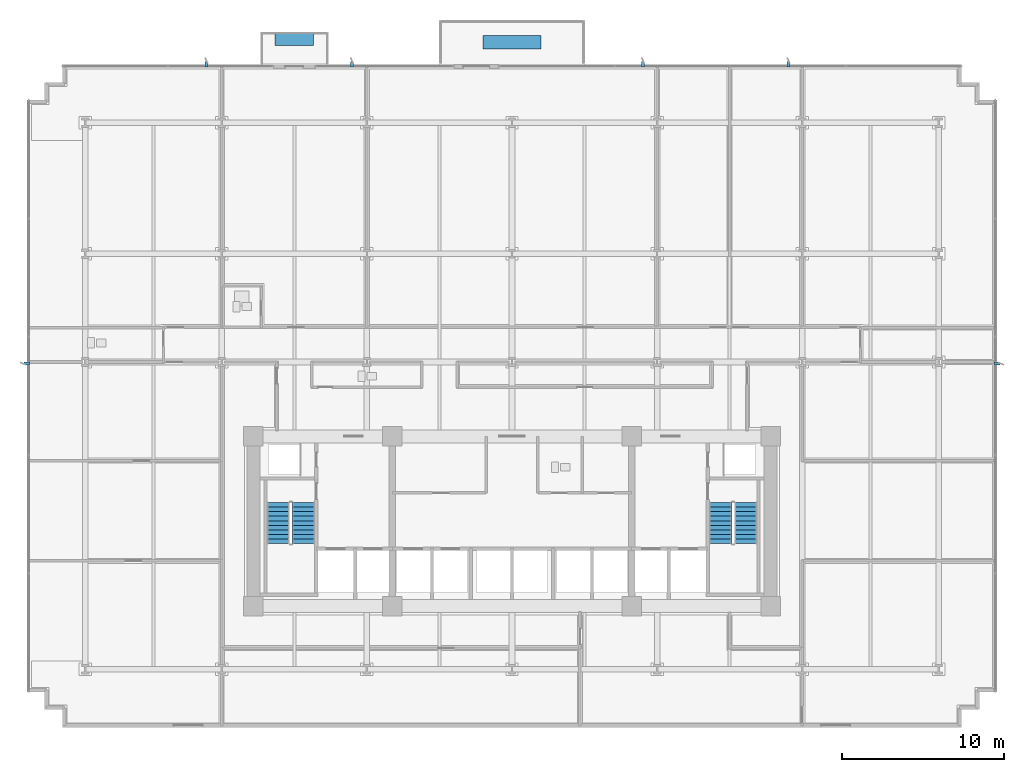
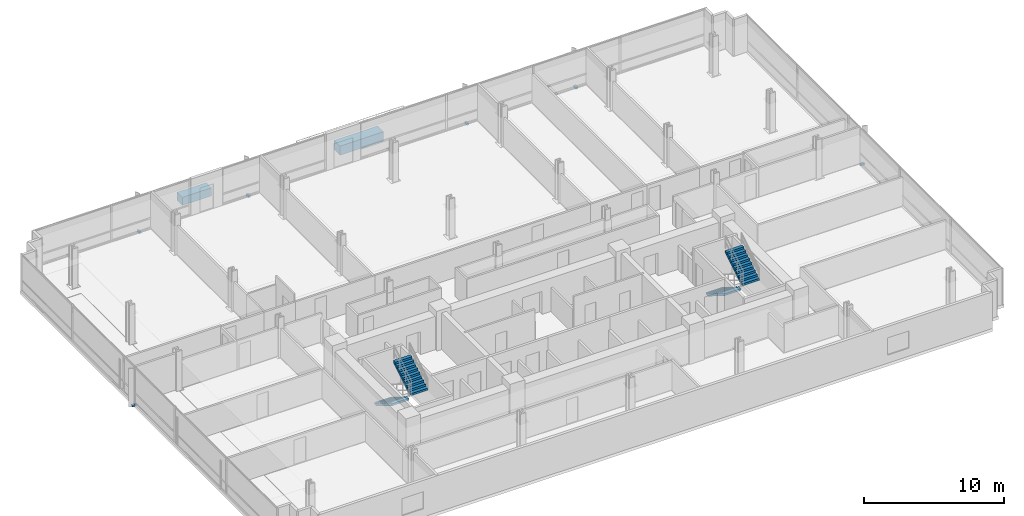
# One storey, part 16 of 21: 8 discrete accessories, 4 stair flights, 2 elements without a shape of their own.
"""IFC4 building model written with IfcOpenShell, lengths in metres."""

from ifc_helpers import new_model, si_unit, direction, frame, origin, origin_2d, place, context, subcontext, project, spatial, polyline, rectangle, outline, extrude, material, type_object, element, aggregate, save


model = new_model("IFC4")

# Units and contexts
model_context = context("Model", 3, precision=1e-05, world=origin(), true_north=direction((0.0, 1.0)))
body_context = subcontext(model_context, "Body", "Model", "MODEL_VIEW")
ifc_project = project(units=[si_unit("LENGTHUNIT", "METRE"), si_unit("AREAUNIT", "SQUARE_METRE"), si_unit("VOLUMEUNIT", "CUBIC_METRE"), si_unit("PLANEANGLEUNIT", "RADIAN"), si_unit("MASSUNIT", "GRAM", prefix="KILO")], contexts=[model_context])

# Site, building, storey
site_placement = place(None, origin())
site = spatial("IfcSite", under=ifc_project, at=site_placement, CompositionType="ELEMENT")
building_placement = place(site_placement, origin())
building = spatial("IfcBuilding", under=site, at=building_placement, Name="Solmavex Isthmus Hotel", CompositionType="ELEMENT")
storey_placement = place(building_placement, frame((0.0, 0.0, 54.0)))
storey = spatial("IfcBuildingStorey", under=building, at=storey_placement, Name="L14", CompositionType="ELEMENT", Elevation=54.0)

# Stair, stair flights
ifc_material_1 = material(Name="Concrete C40/50", Category="concrete")
stair_type_1 = type_object("IfcStairType", Name="STR-ST-1", PredefinedType="HALF_TURN_STAIR", material=ifc_material_1)
stair_1_placement = place(storey_placement, origin())
stair_1 = element("IfcStair", 1, at=stair_1_placement, inside=storey, type_object=stair_type_1, Name="L14 Protected Exit Stair ST-1", PredefinedType="HALF_TURN_STAIR")
stair_flight_type_1 = type_object("IfcStairFlightType", Name="SFL-ST-1", PredefinedType="STRAIGHT", material=ifc_material_1)
stair_flight_1_placement = place(storey_placement, frame((-14.449951171875, -6.60009765625, 0.0), z_axis=(0.0, 0.0, 1.0), x_axis=(0.0, -1.0, 0.0)))
stair_flight_1 = element("IfcStairFlight", 2, at=stair_flight_1_placement, type_object=stair_flight_type_1, Name="ST-1 flight 1", NumberOfRisers=10, NumberOfTreads=9, PredefinedType="STRAIGHT", RiserHeight=0.1725, TreadLength=0.28, context=body_context, shape_type="SweptSolid", body=[
    extrude(outline(polyline([(0.0, 0.0), (0.0, 0.172607421875), (0.280029296875, 0.172607421875), (0.280029296875, 0.344970703125), (0.56005859375, 0.344970703125), (0.56005859375, 0.517578125), (0.840087890625, 0.517578125), (0.840087890625, 0.68994140625), (1.1201171875, 0.68994140625), (1.1201171875, 0.862548828125), (1.39990234375, 0.862548828125), (1.39990234375, 1.034912109375), (1.679931640625, 1.034912109375), (1.679931640625, 1.20751953125), (1.9599609375, 1.20751953125), (1.9599609375, 1.3798828125), (2.239990234375, 1.3798828125), (2.239990234375, 1.552490234375), (2.52001953125, 1.552490234375), (2.52001953125, 1.72509765625), (2.52001953125, 1.37646484375), (0.285888671875, 0.0), (0.0, 0.0)])), frame((0.0, 0.699951171875, 0.0), z_axis=(0.0, -1.0, 0.0), x_axis=(1.0, 0.0, 0.0)), (0.0, 0.0, 1.0), 1.39990234375),
])
stair_flight_2_placement = place(storey_placement, frame((-12.89990234375, -9.1201171875, 1.72509765625), z_axis=(0.0, 0.0, 1.0), x_axis=(0.0, 1.0, 0.0)))
stair_flight_2 = element("IfcStairFlight", 3, at=stair_flight_2_placement, type_object=stair_flight_type_1, Name="ST-1 flight 2", NumberOfRisers=10, NumberOfTreads=9, PredefinedType="STRAIGHT", RiserHeight=0.1725, TreadLength=0.28, context=body_context, shape_type="SweptSolid", body=[
    extrude(outline(polyline([(0.0, 0.0), (0.0, 0.172607421875), (0.280029296875, 0.172607421875), (0.280029296875, 0.344970703125), (0.56005859375, 0.344970703125), (0.56005859375, 0.517578125), (0.840087890625, 0.517578125), (0.840087890625, 0.68994140625), (1.1201171875, 0.68994140625), (1.1201171875, 0.862548828125), (1.39990234375, 0.862548828125), (1.39990234375, 1.034912109375), (1.679931640625, 1.034912109375), (1.679931640625, 1.20751953125), (1.9599609375, 1.20751953125), (1.9599609375, 1.3798828125), (2.239990234375, 1.3798828125), (2.239990234375, 1.552490234375), (2.52001953125, 1.552490234375), (2.52001953125, 1.72509765625), (2.52001953125, 1.37646484375), (0.285888671875, 0.0), (0.0, 0.0)])), frame((0.0, 0.699951171875, 0.0), z_axis=(0.0, -1.0, 0.0), x_axis=(1.0, 0.0, 0.0)), (0.0, 0.0, 1.0), 1.39990234375),
])
aggregate(stair_1, [stair_flight_1, stair_flight_2])

stair_type_2 = type_object("IfcStairType", Name="STR-ST-2", PredefinedType="HALF_TURN_STAIR", material=ifc_material_1)
stair_2_placement = place(storey_placement, origin())
stair_2 = element("IfcStair", 4, at=stair_2_placement, inside=storey, type_object=stair_type_2, Name="L14 Protected Exit Stair ST-2", PredefinedType="HALF_TURN_STAIR")
stair_flight_type_2 = type_object("IfcStairFlightType", Name="SFL-ST-2", PredefinedType="STRAIGHT", material=ifc_material_1)
stair_flight_3_placement = place(storey_placement, frame((12.89990234375, -6.60009765625, 0.0), z_axis=(0.0, 0.0, 1.0), x_axis=(0.0, -1.0, 0.0)))
stair_flight_3 = element("IfcStairFlight", 5, at=stair_flight_3_placement, type_object=stair_flight_type_2, Name="ST-2 flight 1", NumberOfRisers=10, NumberOfTreads=9, PredefinedType="STRAIGHT", RiserHeight=0.1725, TreadLength=0.28, context=body_context, shape_type="SweptSolid", body=[
    extrude(outline(polyline([(0.0, 0.0), (0.0, 0.172607421875), (0.280029296875, 0.172607421875), (0.280029296875, 0.344970703125), (0.56005859375, 0.344970703125), (0.56005859375, 0.517578125), (0.840087890625, 0.517578125), (0.840087890625, 0.68994140625), (1.1201171875, 0.68994140625), (1.1201171875, 0.862548828125), (1.39990234375, 0.862548828125), (1.39990234375, 1.034912109375), (1.679931640625, 1.034912109375), (1.679931640625, 1.20751953125), (1.9599609375, 1.20751953125), (1.9599609375, 1.3798828125), (2.239990234375, 1.3798828125), (2.239990234375, 1.552490234375), (2.52001953125, 1.552490234375), (2.52001953125, 1.72509765625), (2.52001953125, 1.37646484375), (0.285888671875, 0.0), (0.0, 0.0)])), frame((0.0, 0.699951171875, 0.0), z_axis=(0.0, -1.0, 0.0), x_axis=(1.0, 0.0, 0.0)), (0.0, 0.0, 1.0), 1.39990234375),
])
stair_flight_4_placement = place(storey_placement, frame((14.449951171875, -9.1201171875, 1.72509765625), z_axis=(0.0, 0.0, 1.0), x_axis=(0.0, 1.0, 0.0)))
stair_flight_4 = element("IfcStairFlight", 6, at=stair_flight_4_placement, type_object=stair_flight_type_2, Name="ST-2 flight 2", NumberOfRisers=10, NumberOfTreads=9, PredefinedType="STRAIGHT", RiserHeight=0.1725, TreadLength=0.28, context=body_context, shape_type="SweptSolid", body=[
    extrude(outline(polyline([(0.0, 0.0), (0.0, 0.172607421875), (0.280029296875, 0.172607421875), (0.280029296875, 0.344970703125), (0.56005859375, 0.344970703125), (0.56005859375, 0.517578125), (0.840087890625, 0.517578125), (0.840087890625, 0.68994140625), (1.1201171875, 0.68994140625), (1.1201171875, 0.862548828125), (1.39990234375, 0.862548828125), (1.39990234375, 1.034912109375), (1.679931640625, 1.034912109375), (1.679931640625, 1.20751953125), (1.9599609375, 1.20751953125), (1.9599609375, 1.3798828125), (2.239990234375, 1.3798828125), (2.239990234375, 1.552490234375), (2.52001953125, 1.552490234375), (2.52001953125, 1.72509765625), (2.52001953125, 1.37646484375), (0.285888671875, 0.0), (0.0, 0.0)])), frame((0.0, 0.699951171875, 0.0), z_axis=(0.0, -1.0, 0.0), x_axis=(1.0, 0.0, 0.0)), (0.0, 0.0, 1.0), 1.39990234375),
])
aggregate(stair_2, [stair_flight_3, stair_flight_4])

# Discrete accessories
ifc_material_2 = material(Name="Steel ASTM A572 Grade 50", Category="steel")
discrete_accessory_type_1 = type_object("IfcDiscreteAccessoryType", Name="ACC-BRK-FIN", PredefinedType="BRACKET", material=ifc_material_2)
for number, where, z_axis, x_axis, name in (
    (7, (-18.89990234375, 20.52001953125, -0.169921875), (0.0, 0.0, 1.0), (0.0, 1.0, 0.0), "Facade Fin Support Bracket L14-N1"),
    (8, (-9.89990234375, 20.52001953125, -0.169921875), (0.0, 0.0, 1.0), (0.0, 1.0, 0.0), "Facade Fin Support Bracket L14-N2"),
    (9, (8.10009765625, 20.52001953125, -0.169921875), (0.0, 0.0, 1.0), (0.0, 1.0, 0.0), "Facade Fin Support Bracket L14-N3"),
    (10, (17.10009765625, 20.52001953125, -0.169921875), (0.0, 0.0, 1.0), (0.0, 1.0, 0.0), "Facade Fin Support Bracket L14-N4"),
    (11, (-30.02001953125, 2.0, -0.169921875), (0.0, 0.0, 1.0), (-1.0, 0.0, 0.0), "Facade Fin Support Bracket L14-W1"),
    (12, (30.02001953125, 2.0, -0.169921875), (0.0, 0.0, 1.0), (1.0, 0.0, 0.0), "Facade Fin Support Bracket L14-E1"),
):
    element("IfcDiscreteAccessory", number, at=place(storey_placement, frame(where, z_axis=z_axis, x_axis=x_axis)), inside=storey, type_object=discrete_accessory_type_1, Name=name, PredefinedType="BRACKET", context=body_context, shape_type="SweptSolid", body=[
        extrude(rectangle(XDim=0.340087890625, YDim=0.179931640625, at=origin_2d()), origin(), (0.0, 0.0, 1.0), 0.159912109375),
    ])
ifc_material_3 = material(Name="Precast Concrete C40/50", Category="concrete")
discrete_accessory_type_2 = type_object("IfcDiscreteAccessoryType", Name="ACC-PLN-BALC", PredefinedType="USERDEFINED", material=ifc_material_3)
discrete_accessory_1_placement = place(storey_placement, frame((-13.464111328125, 22.050048828125, 0.0), z_axis=(0.0, 0.0, 1.0), x_axis=(1.0, 0.0, 0.0)))
element("IfcDiscreteAccessory", 13, at=discrete_accessory_1_placement, inside=storey, type_object=discrete_accessory_type_2, Name="Tree-Balcony Architectural Planter L14-B1", ObjectType="PLANTER", PredefinedType="USERDEFINED", context=body_context, shape_type="SweptSolid", body=[
    extrude(rectangle(XDim=2.39990234375, YDim=0.75, at=origin_2d()), origin(), (0.0, 0.0, 1.0), 0.699951171875),
])
discrete_accessory_type_3 = type_object("IfcDiscreteAccessoryType", Name="ACC-PLN-SG", PredefinedType="USERDEFINED", material=ifc_material_3)
discrete_accessory_2_placement = place(storey_placement, frame((0.0, 21.87548828125, 0.0), z_axis=(0.0, 0.0, 1.0), x_axis=(1.0, 0.0, 0.0)))
element("IfcDiscreteAccessory", 14, at=discrete_accessory_2_placement, inside=storey, type_object=discrete_accessory_type_3, Name="Sky-Garden & Terrace Botanical Tree Planter L14-T1", ObjectType="PLANTER", PredefinedType="USERDEFINED", context=body_context, shape_type="SweptSolid", body=[
    extrude(rectangle(XDim=3.60009765625, YDim=0.85009765625, at=origin_2d()), origin(), (0.0, 0.0, 1.0), 0.800048828125),
])

save(model, "model.ifc")
